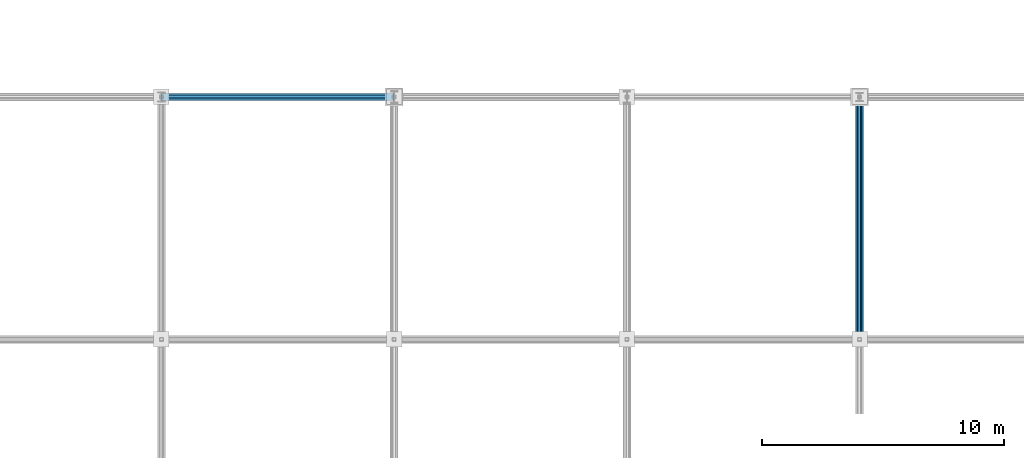
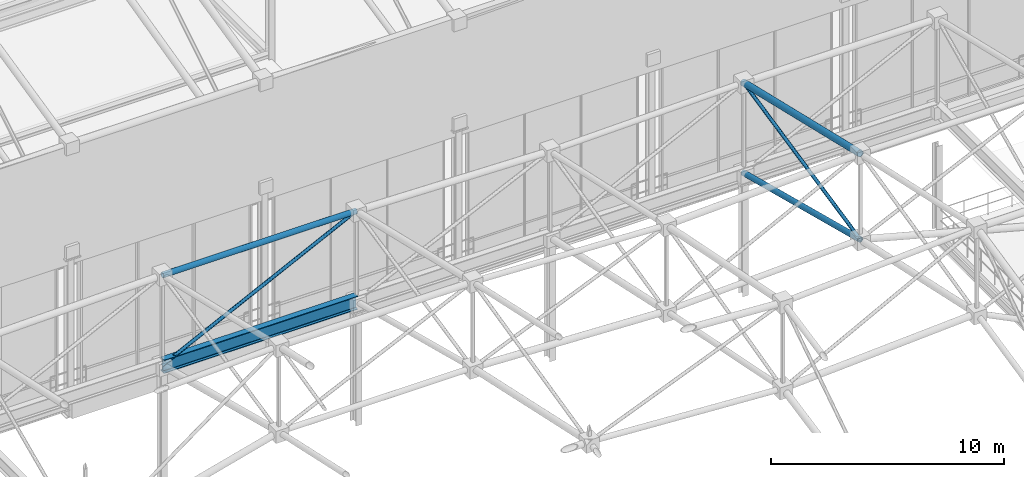
# One storey, part 95 of 193: 5 members, 1 beam.
"""IFC4 building model written with IfcOpenShell, lengths in metres."""

from ifc_helpers import new_model, si_unit, direction, frame, origin, origin_2d, place, context, subcontext, project, spatial, hollow_circle, i_section, extrude, material, material_profile, profile_set, type_object, element, save


model = new_model("IFC4")

# Units and contexts
model_context = context("Model", 3, precision=1e-05, world=origin(), true_north=direction((0.0, 1.0)))
body_context = subcontext(model_context, "Body", "Model", "MODEL_VIEW")
ifc_project = project(units=[si_unit("LENGTHUNIT", "METRE"), si_unit("AREAUNIT", "SQUARE_METRE"), si_unit("VOLUMEUNIT", "CUBIC_METRE"), si_unit("PLANEANGLEUNIT", "RADIAN"), si_unit("MASSUNIT", "GRAM", prefix="KILO")], contexts=[model_context])

# Site, building, storey
site_placement = place(None, origin())
site = spatial("IfcSite", under=ifc_project, at=site_placement, CompositionType="ELEMENT")
building_placement = place(site_placement, origin())
building = spatial("IfcBuilding", under=site, at=building_placement, Name="Danafjord Basin Convention Centre", CompositionType="ELEMENT")
storey_placement = place(building_placement, frame((0.0, 0.0, 11.39990234375)))
storey = spatial("IfcBuildingStorey", under=building, at=storey_placement, Name="L02", CompositionType="ELEMENT", Elevation=11.39990234375)

# Beam
ifc_material = material(Name="Steel S355", Category="steel")
ifc_material_profile_1 = material_profile(ifc_material, i_section(OverallWidth=0.300048828125, OverallDepth=0.699951171875, WebThickness=0.01708984375, FlangeThickness=0.031982421875, FilletRadius=0.027099609375, at=origin_2d()), Name="HEB 700")
ifc_profile_set_1 = profile_set([ifc_material_profile_1], Name="Steel S355")
beam_type = type_object("IfcBeamType", Name="BEAM-BM-HEB700", PredefinedType="BEAM", material=ifc_profile_set_1)
beam_placement = place(storey_placement, frame((153.60009765625, 80.0, 6.35009765625), z_axis=(1.0, 0.0, 0.0), x_axis=(0.0, 1.0, 0.0)))
element("IfcBeam", 1, at=beam_placement, inside=storey, type_object=beam_type, Name="V3 space-frame perimeter ring girder", PredefinedType="BEAM", context=body_context, shape_type="SweptSolid", body=[
    extrude(i_section(OverallWidth=0.300048828125, OverallDepth=0.699951171875, WebThickness=0.01708984375, FlangeThickness=0.031982421875, FilletRadius=0.027099609375, at=origin_2d()), origin(), (0.0, 0.0, 1.0), 9.599853515625),
])

# Members
ifc_material_profile_2 = material_profile(ifc_material, hollow_circle(Radius=0.136474609375, WallThickness=0.012451171875, at=origin_2d()), Name="CHS 273.0x12.5")
ifc_profile_set_2 = profile_set([ifc_material_profile_2], Name="Steel S355")
member_type_1 = type_object("IfcMemberType", Name="MEM-CH-CHS273", PredefinedType="CHORD", material=ifc_profile_set_2)
member_1_placement = place(storey_placement, frame((153.60009765625, 80.0, 11.0751953125), z_axis=(1.0, 0.0, 0.0), x_axis=(0.0, 1.0, 0.0)))
element("IfcMember", 2, at=member_1_placement, inside=storey, type_object=member_type_1, Name="V3 roof truss longitudinal top chord", PredefinedType="CHORD", context=body_context, shape_type="SweptSolid", body=[
    extrude(hollow_circle(Radius=0.136474609375, WallThickness=0.012451171875, at=origin_2d()), origin(), (0.0, 0.0, 1.0), 9.599853515625),
])
member_2_placement = place(storey_placement, frame((182.39990234375, 70.0, 8.927734375), z_axis=(0.0, 0.968347770867, -0.249604877071), x_axis=(-1.0, 0.0, 0.0)))
element("IfcMember", 3, at=member_2_placement, inside=storey, type_object=member_type_1, Name="V3 roof truss transverse bottom chord", PredefinedType="CHORD", context=body_context, shape_type="SweptSolid", body=[
    extrude(hollow_circle(Radius=0.136474609375, WallThickness=0.012451171875, at=origin_2d()), origin(), (0.0, 0.0, 1.0), 10.326904296875),
])
ifc_material_profile_3 = material_profile(ifc_material, hollow_circle(Radius=0.161865234375, WallThickness=0.01611328125, at=origin_2d()), Name="CHS 323.9x16.0")
ifc_profile_set_3 = profile_set([ifc_material_profile_3], Name="Steel S355")
member_type_2 = type_object("IfcMemberType", Name="MEM-CH-CHS324", PredefinedType="CHORD", material=ifc_profile_set_3)
member_3_placement = place(storey_placement, frame((182.39990234375, 70.0, 13.427734375), z_axis=(0.0, 0.97342589455, -0.229002244138), x_axis=(-1.0, 0.0, 0.0)))
element("IfcMember", 4, at=member_3_placement, inside=storey, type_object=member_type_2, Name="V3 roof truss transverse top chord", PredefinedType="CHORD", context=body_context, shape_type="SweptSolid", body=[
    extrude(hollow_circle(Radius=0.161865234375, WallThickness=0.01611328125, at=origin_2d()), origin(), (0.0, 0.0, 1.0), 10.27294921875),
])
ifc_material_profile_4 = material_profile(ifc_material, hollow_circle(Radius=0.084228515625, WallThickness=0.008056640625, at=origin_2d()), Name="CHS 168.3x8.0")
ifc_profile_set_4 = profile_set([ifc_material_profile_4], Name="Steel S355")
member_type_3 = type_object("IfcMemberType", Name="MEM-WB-CHS168", PredefinedType="MEMBER", material=ifc_profile_set_4)
member_4_placement = place(storey_placement, frame((153.60009765625, 80.0, 6.35009765625), z_axis=(0.897207118397, 0.0, 0.441609993883), x_axis=(0.0, 1.0, 0.0)))
element("IfcMember", 5, at=member_4_placement, inside=storey, type_object=member_type_3, Name="V3 space-frame longitudinal web", PredefinedType="MEMBER", context=body_context, shape_type="SweptSolid", body=[
    extrude(hollow_circle(Radius=0.084228515625, WallThickness=0.008056640625, at=origin_2d()), origin(), (0.0, 0.0, 1.0), 10.69970703125),
])
member_5_placement = place(storey_placement, frame((182.39990234375, 70.0, 8.927734375), z_axis=(0.0, 0.977710100146, 0.209959424826), x_axis=(-1.0, 0.0, 0.0)))
element("IfcMember", 6, at=member_5_placement, inside=storey, type_object=member_type_3, Name="V3 space-frame transverse web", PredefinedType="MEMBER", context=body_context, shape_type="SweptSolid", body=[
    extrude(hollow_circle(Radius=0.084228515625, WallThickness=0.008056640625, at=origin_2d()), origin(), (0.0, 0.0, 1.0), 10.22802734375),
])

save(model, "model.ifc")
